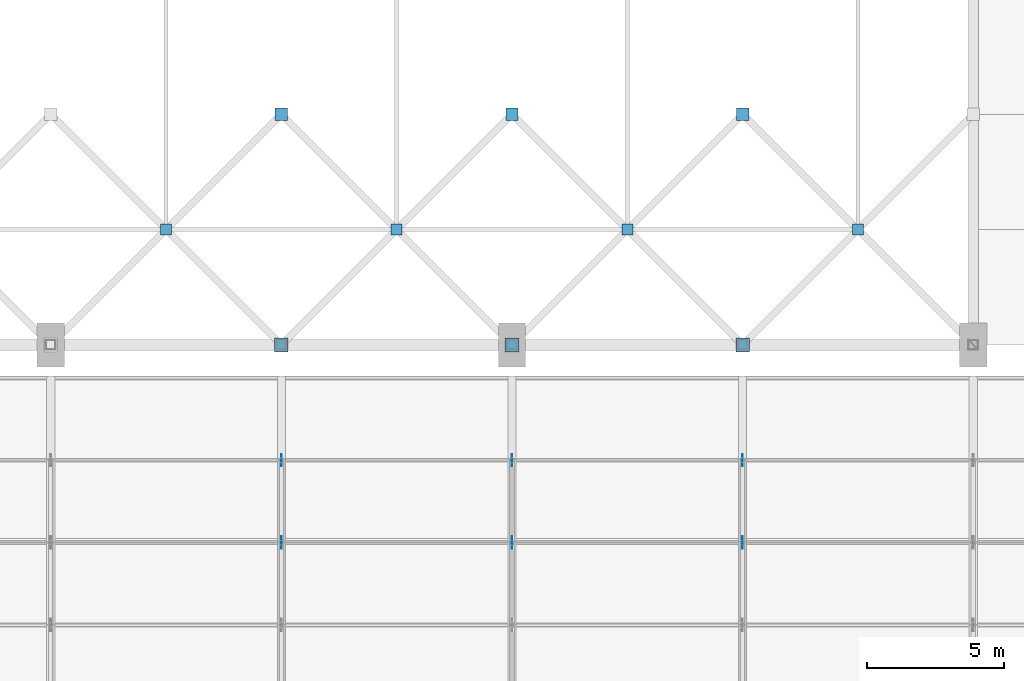
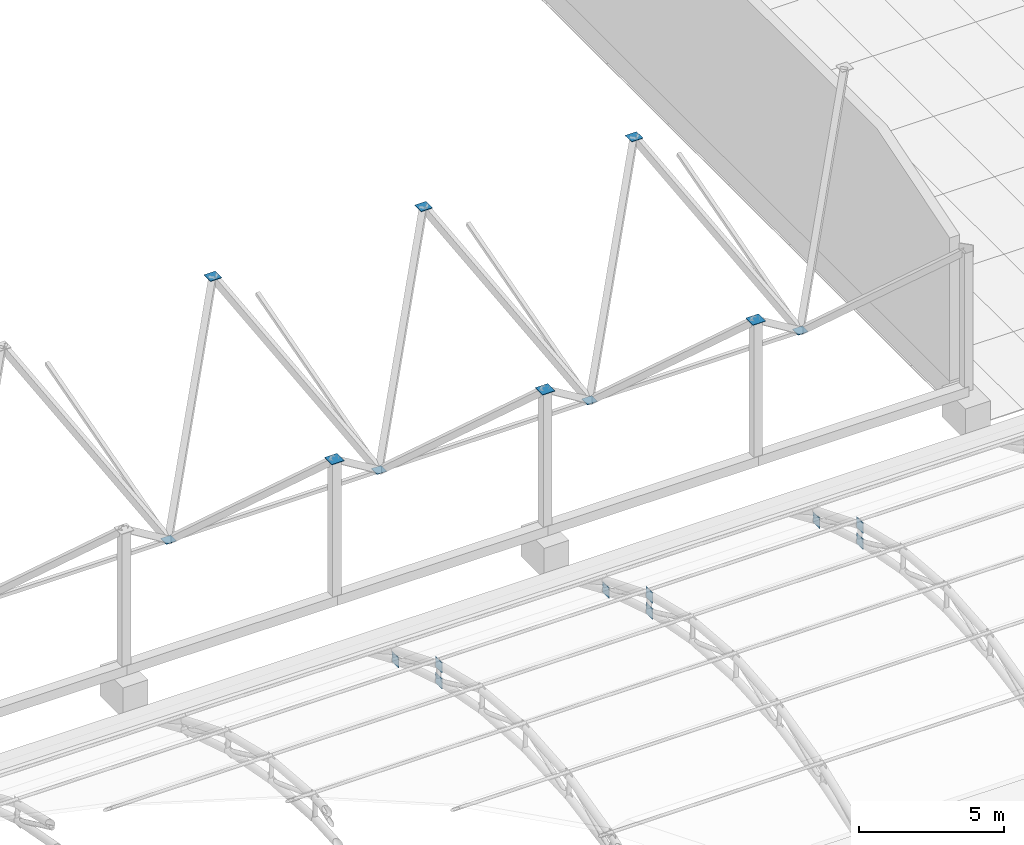
# One storey, part 127 of 163: 19 discrete accessories.
"""IFC4 building model written with IfcOpenShell, lengths in metres."""

from ifc_helpers import new_model, si_unit, direction, frame, origin, origin_2d, place, context, subcontext, project, spatial, rectangle, extrude, material, layer, layer_set, type_object, element, save


model = new_model("IFC4")

# Units and contexts
model_context = context("Model", 3, precision=1e-05, world=origin(), true_north=direction((0.0, 1.0)))
body_context = subcontext(model_context, "Body", "Model", "MODEL_VIEW")
ifc_project = project(units=[si_unit("LENGTHUNIT", "METRE"), si_unit("AREAUNIT", "SQUARE_METRE"), si_unit("VOLUMEUNIT", "CUBIC_METRE"), si_unit("PLANEANGLEUNIT", "RADIAN"), si_unit("MASSUNIT", "GRAM", prefix="KILO")], contexts=[model_context])

# Site, building, storey
site_placement = place(None, origin())
site = spatial("IfcSite", under=ifc_project, at=site_placement, CompositionType="ELEMENT")
building_placement = place(site_placement, origin())
building = spatial("IfcBuilding", under=site, at=building_placement, Name="Rain Tree Exposition and Congress Centre", CompositionType="ELEMENT")
storey_placement = place(building_placement, frame((0.0, 0.0, 10.5)))
storey = spatial("IfcBuildingStorey", under=building, at=storey_placement, Name="L02", CompositionType="ELEMENT", Elevation=10.5)

# Discrete accessories
ifc_material_1 = material(Name="Steel plate S355J2", Category="steel")
ifc_layer_1 = layer(ifc_material_1, 0.02001953125)
ifc_layer_set_1 = layer_set([ifc_layer_1], Name="Steel plate S355J2")
discrete_accessory_type_1 = type_object("IfcDiscreteAccessoryType", Name="Brace node plate 400x400x20", PredefinedType="BRACKET", material=ifc_layer_set_1)
for number, where, z_axis, x_axis, name in (
    (1, (96.60009765625, 105.0, 2.863525390625), (0.0, 0.0, 1.0), (1.0, 0.0, 0.0), "Brace node plate 400"),
    (2, (105.0, 105.0, 2.863525390625), (0.0, 0.0, 1.0), (1.0, 0.0, 0.0), "Brace node plate 400"),
    (3, (113.39990234375, 105.0, 2.863525390625), (0.0, 0.0, 1.0), (1.0, 0.0, 0.0), "Brace node plate 400"),
    (4, (121.800048828125, 105.0, 2.863525390625), (0.0, 0.0, 1.0), (1.0, 0.0, 0.0), "Brace node plate 400"),
):
    element("IfcDiscreteAccessory", number, at=place(storey_placement, frame(where, z_axis=z_axis, x_axis=x_axis)), inside=storey, type_object=discrete_accessory_type_1, Name=name, PredefinedType="BRACKET", context=body_context, shape_type="SweptSolid", body=[
        extrude(rectangle(XDim=0.39990234375, YDim=0.39990234375, at=origin_2d()), origin(), (0.0, 0.0, 1.0), 0.02001953125),
    ])
ifc_material_2 = material(Name="Steel plate S355J2", Category="steel")
ifc_layer_2 = layer(ifc_material_2, 0.02001953125)
ifc_layer_set_2 = layer_set([ifc_layer_2], Name="Steel plate S355J2")
discrete_accessory_type_2 = type_object("IfcDiscreteAccessoryType", Name="Brace node plate 450x450x20", PredefinedType="BRACKET", material=ifc_layer_set_2)
for number, where, z_axis, x_axis, name in (
    (5, (100.800048828125, 109.199951171875, 9.956787109375), (0.0, 0.0, 1.0), (1.0, 0.0, 0.0), "Brace node plate 450"),
    (6, (109.199951171875, 109.199951171875, 9.956787109375), (0.0, 0.0, 1.0), (1.0, 0.0, 0.0), "Brace node plate 450"),
    (7, (117.60009765625, 109.199951171875, 9.956787109375), (0.0, 0.0, 1.0), (1.0, 0.0, 0.0), "Brace node plate 450"),
):
    element("IfcDiscreteAccessory", number, at=place(storey_placement, frame(where, z_axis=z_axis, x_axis=x_axis)), inside=storey, type_object=discrete_accessory_type_2, Name=name, PredefinedType="BRACKET", context=body_context, shape_type="SweptSolid", body=[
        extrude(rectangle(XDim=0.449951171875, YDim=0.449951171875, at=origin_2d()), origin(), (0.0, 0.0, 1.0), 0.02001953125),
    ])
for number, where, z_axis, x_axis, name in (
    (8, (100.800048828125, 93.60009765625, 2.15478515625), (0.0, 0.0, 1.0), (0.0, -1.0, 0.0), "Brace node plate 450"),
    (9, (100.800048828125, 96.60009765625, 1.21728515625), (0.0, 0.0, 1.0), (0.0, -1.0, 0.0), "Brace node plate 450"),
    (10, (100.800048828125, 93.60009765625, 2.830078125), (0.0, 0.0, 1.0), (0.0, 1.0, 0.0), "Brace node plate 450"),
    (11, (109.199951171875, 93.60009765625, 2.15478515625), (0.0, 0.0, 1.0), (0.0, -1.0, 0.0), "Brace node plate 450"),
    (12, (109.199951171875, 96.60009765625, 1.21728515625), (0.0, 0.0, 1.0), (0.0, -1.0, 0.0), "Brace node plate 450"),
    (13, (109.199951171875, 93.60009765625, 2.830078125), (0.0, 0.0, 1.0), (0.0, 1.0, 0.0), "Brace node plate 450"),
    (14, (117.60009765625, 93.60009765625, 2.15478515625), (0.0, 0.0, 1.0), (0.0, -1.0, 0.0), "Brace node plate 450"),
    (15, (117.60009765625, 96.60009765625, 1.21728515625), (0.0, 0.0, 1.0), (0.0, -1.0, 0.0), "Brace node plate 450"),
    (16, (117.60009765625, 93.60009765625, 2.830078125), (0.0, 0.0, 1.0), (0.0, 1.0, 0.0), "Brace node plate 450"),
):
    element("IfcDiscreteAccessory", number, at=place(storey_placement, frame(where, z_axis=z_axis, x_axis=x_axis)), inside=storey, type_object=discrete_accessory_type_2, Name=name, PredefinedType="BRACKET", context=body_context, shape_type="SweptSolid", body=[
        extrude(rectangle(XDim=0.449951171875, YDim=0.02001953125, at=origin_2d()), origin(), (0.0, 0.0, 1.0), 0.449951171875),
    ])
ifc_material_3 = material(Name="Steel plate S355J2", Category="steel")
ifc_layer_3 = layer(ifc_material_3, 0.02001953125)
ifc_layer_set_3 = layer_set([ifc_layer_3], Name="Steel plate S355J2")
discrete_accessory_type_3 = type_object("IfcDiscreteAccessoryType", Name="Brace node plate 500x500x20", PredefinedType="BRACKET", material=ifc_layer_set_3)
for number, where, z_axis, x_axis, name in (
    (17, (100.800048828125, 100.800048828125, 7.340087890625), (0.0, 0.0, 1.0), (1.0, 0.0, 0.0), "Brace node plate 500"),
    (18, (109.199951171875, 100.800048828125, 7.340087890625), (0.0, 0.0, 1.0), (1.0, 0.0, 0.0), "Brace node plate 500"),
    (19, (117.60009765625, 100.800048828125, 7.340087890625), (0.0, 0.0, 1.0), (1.0, 0.0, 0.0), "Brace node plate 500"),
):
    element("IfcDiscreteAccessory", number, at=place(storey_placement, frame(where, z_axis=z_axis, x_axis=x_axis)), inside=storey, type_object=discrete_accessory_type_3, Name=name, PredefinedType="BRACKET", context=body_context, shape_type="SweptSolid", body=[
        extrude(rectangle(XDim=0.5, YDim=0.5, at=origin_2d()), origin(), (0.0, 0.0, 1.0), 0.02001953125),
    ])

save(model, "model.ifc")
